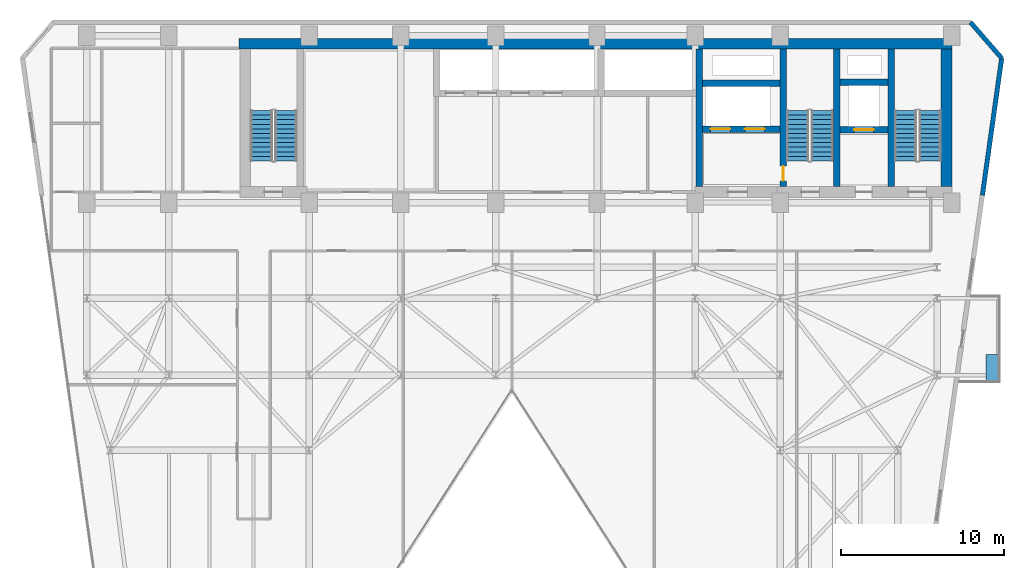
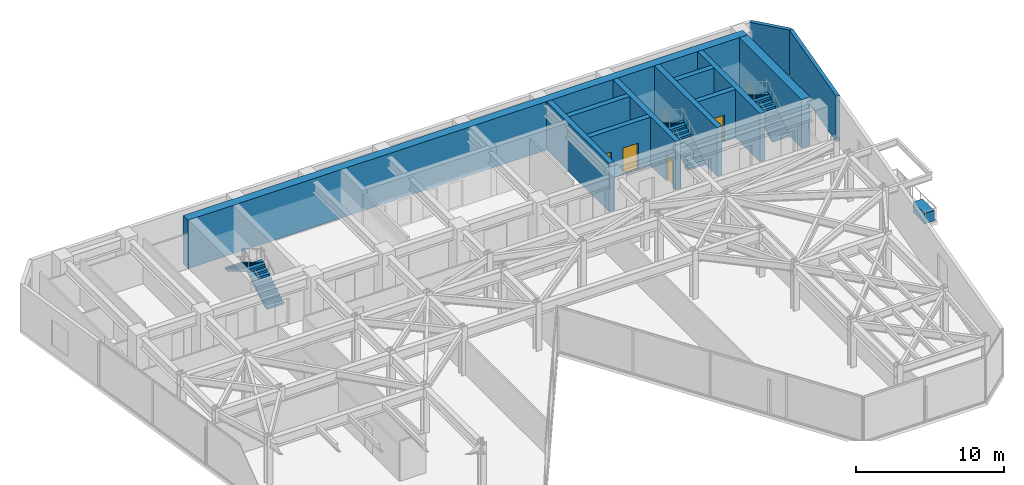
# One storey, part 23 of 26: 12 walls, 6 stair flights, 4 doors, 1 discrete accessory, 4 openings, 3 elements without a shape of their own.
"""IFC4 building model written with IfcOpenShell, lengths in metres."""

from ifc_helpers import new_model, si_unit, direction, frame, frame_2d, origin, origin_2d, place, context, subcontext, project, spatial, polyline, rectangle, outline, extrude, material, layer, layer_set, type_object, element, fill, aggregate, save


model = new_model("IFC4")

# Units and contexts
model_context = context("Model", 3, precision=1e-05, world=origin(), true_north=direction((0.0, 1.0)))
body_context = subcontext(model_context, "Body", "Model", "MODEL_VIEW")
ifc_project = project(units=[si_unit("LENGTHUNIT", "METRE"), si_unit("AREAUNIT", "SQUARE_METRE"), si_unit("VOLUMEUNIT", "CUBIC_METRE"), si_unit("PLANEANGLEUNIT", "RADIAN"), si_unit("MASSUNIT", "GRAM", prefix="KILO")], contexts=[model_context])

# Site, building, storey
site_placement = place(None, origin())
site = spatial("IfcSite", under=ifc_project, at=site_placement, CompositionType="ELEMENT")
building_placement = place(site_placement, origin())
building = spatial("IfcBuilding", under=site, at=building_placement, Name="Kravanh Interchange Tower", CompositionType="ELEMENT")
storey_placement = place(building_placement, frame((0.0, 0.0, 112.0)))
storey = spatial("IfcBuildingStorey", under=building, at=storey_placement, Name="L26", CompositionType="ELEMENT", Elevation=112.0)

# Walls
ifc_material_1 = material(Name="Concrete C70/85", Category="concrete")
ifc_layer_1 = layer(ifc_material_1, 0.64990234375)
ifc_layer_set_1 = layer_set([ifc_layer_1], Name="Core Shear Wall Concrete C70/85 650mm")
wall_type_1 = type_object("IfcWallType", Name="Core Shear Wall Concrete C70/85 650mm", PredefinedType="SHEAR", material=ifc_layer_set_1)
wall_1_placement = place(storey_placement, frame((22.89990234375, 47.074951171875, 0.0), z_axis=(0.0, 0.0, 1.0), x_axis=(1.0, 0.0, 0.0)))
element("IfcWall", 1, at=wall_1_placement, inside=storey, type_object=wall_type_1, Name="L26 North Core Shear Wall", PredefinedType="SHEAR", context=body_context, shape_type="SweptSolid", body=[
    extrude(rectangle(XDim=43.60009765625, YDim=0.64990234375, at=frame_2d((21.800048828125, 0.0))), origin(), (0.0, 0.0, 1.0), 4.0),
])
wall_2_placement = place(storey_placement, frame((66.175048828125, 38.324951171875, 0.0), z_axis=(0.0, 0.0, 1.0), x_axis=(0.0, 1.0, 0.0)))
element("IfcWall", 2, at=wall_2_placement, inside=storey, type_object=wall_type_1, Name="L26 Stair ST1 East Shear Wall", PredefinedType="SHEAR", context=body_context, shape_type="SweptSolid", body=[
    extrude(rectangle(XDim=8.425048828125, YDim=0.64990234375, at=frame_2d((4.21240234375, 0.0))), origin(), (0.0, 0.0, 1.0), 4.0),
])
ifc_material_2 = material(Name="Concrete C80/95", Category="concrete")
ifc_layer_2 = layer(ifc_material_2, 0.39990234375)
ifc_layer_set_2 = layer_set([ifc_layer_2], Name="Core Shear Wall Concrete C80/95 400mm")
wall_type_2 = type_object("IfcWallType", Name="Core Shear Wall Concrete C80/95 400mm", PredefinedType="SHEAR", material=ifc_layer_set_2)
for number, where, z_axis, x_axis, name in (
    (3, (62.800048828125, 38.324951171875, 0.0), (0.0, 0.0, 1.0), (0.0, 1.0, 0.0), "L26 Stair ST1 West Shear Wall"),
    (4, (59.449951171875, 38.324951171875, 0.0), (0.0, 0.0, 1.0), (0.0, 1.0, 0.0), "L26 Stair ST2 East Shear Wall"),
):
    element("IfcWall", number, at=place(storey_placement, frame(where, z_axis=z_axis, x_axis=x_axis)), inside=storey, type_object=wall_type_2, Name=name, PredefinedType="SHEAR", context=body_context, shape_type="SweptSolid", body=[
        extrude(rectangle(XDim=8.425048828125, YDim=0.39990234375, at=frame_2d((4.21240234375, 0.0))), origin(), (0.0, 0.0, 1.0), 4.0),
    ])

# Wall, opening, door
wall_3_placement = place(storey_placement, frame((56.199951171875, 38.324951171875, 0.0), z_axis=(0.0, 0.0, 1.0), x_axis=(0.0, 1.0, 0.0)))
wall_3 = element("IfcWall", 5, at=wall_3_placement, inside=storey, type_object=wall_type_2, Name="L26 Stair ST2 West Shear Wall", PredefinedType="SHEAR", context=body_context, shape_type="SweptSolid", body=[
    extrude(rectangle(XDim=8.425048828125, YDim=0.39990234375, at=frame_2d((4.21240234375, 0.0))), origin(), (0.0, 0.0, 1.0), 4.0),
])
opening_1_placement = place(wall_3_placement, frame((0.35498046875, 0.0, 0.0)))
opening_1 = element("IfcOpeningElement", 6, at=opening_1_placement, cuts=wall_3, Name="Opening D-STAIR-90", PredefinedType="OPENING", context=body_context, shape_type="SweptSolid", body=[
    extrude(rectangle(XDim=0.89990234375, YDim=2.14990234375, at=frame_2d((0.449951171875, 1.074951171875))), frame((0.0, 0.2099609375, 0.0), z_axis=(0.0, -1.0, 0.0), x_axis=(1.0, 0.0, 0.0)), (0.0, 0.0, 1.0), 0.419921875),
])
ifc_material_3 = material(Name="Structural Steel S355", Category="steel")
door_type_1 = type_object("IfcDoorType", Name="Fire-Rated Stair Lobby Door 900x2150", OperationType="NOTDEFINED", PredefinedType="DOOR", material=ifc_material_3)
door_1_placement = place(opening_1_placement, origin())
door_1 = element("IfcDoor", 7, at=door_1_placement, inside=storey, type_object=door_type_1, Name="L26 Firefighting Lobby to Stair ST2 Door", OperationType="SINGLE_SWING_LEFT", OverallHeight=2.14990234375, OverallWidth=0.89990234375, PredefinedType="DOOR", context=body_context, shape_type="SweptSolid", body=[
    extrude(rectangle(XDim=0.89990234375, YDim=2.14990234375, at=frame_2d((0.449951171875, 1.074951171875))), frame((0.0, 0.02490234375, 0.0), z_axis=(0.0, -1.0, 0.0), x_axis=(1.0, 0.0, 0.0)), (0.0, 0.0, 1.0), 0.050048828125),
])
fill(opening_1, door_1)

wall_4_placement = place(storey_placement, frame((59.64990234375, 41.800048828125, 0.0), z_axis=(0.0, 0.0, 1.0), x_axis=(1.0, 0.0, 0.0)))
wall_4 = element("IfcWall", 8, at=wall_4_placement, inside=storey, type_object=wall_type_2, Name="L26 Service Lift Shaft South Wall", PredefinedType="SHEAR", context=body_context, shape_type="SweptSolid", body=[
    extrude(rectangle(XDim=2.9501953125, YDim=0.39990234375, at=frame_2d((1.47509765625, 0.0))), origin(), (0.0, 0.0, 1.0), 4.0),
])
opening_2_placement = place(wall_4_placement, frame((0.8701171875, 0.0, 0.0)))
opening_2 = element("IfcOpeningElement", 9, at=opening_2_placement, cuts=wall_4, Name="Opening LD02", PredefinedType="OPENING", context=body_context, shape_type="SweptSolid", body=[
    extrude(rectangle(XDim=1.199951171875, YDim=2.199951171875, at=frame_2d((0.60009765625, 1.10009765625))), frame((0.0, 0.2099609375, 0.0), z_axis=(0.0, -1.0, 0.0), x_axis=(1.0, 0.0, 0.0)), (0.0, 0.0, 1.0), 0.419921875),
])
ifc_material_4 = material(Name="Stainless Steel 316", Category="steel")
door_type_2 = type_object("IfcDoorType", Name="Fire and Service Lift Sliding Landing Door 1200x2200", OperationType="DOUBLE_DOOR_SLIDING", PredefinedType="DOOR", material=ifc_material_4)
door_2_placement = place(opening_2_placement, origin())
door_2 = element("IfcDoor", 10, at=door_2_placement, inside=storey, type_object=door_type_2, Name="L26 Lift LS-01 Landing Door", OperationType="DOUBLE_DOOR_SLIDING", OverallHeight=2.199951171875, OverallWidth=1.199951171875, PredefinedType="DOOR", context=body_context, shape_type="SweptSolid", body=[
    extrude(rectangle(XDim=1.199951171875, YDim=2.199951171875, at=frame_2d((0.60009765625, 1.10009765625))), frame((0.0, 0.02490234375, 0.0), z_axis=(0.0, -1.0, 0.0), x_axis=(1.0, 0.0, 0.0)), (0.0, 0.0, 1.0), 0.050048828125),
])
fill(opening_2, door_2)

# Wall
wall_5_placement = place(storey_placement, frame((59.64990234375, 44.699951171875, 0.0), z_axis=(0.0, 0.0, 1.0), x_axis=(1.0, 0.0, 0.0)))
element("IfcWall", 11, at=wall_5_placement, inside=storey, type_object=wall_type_2, Name="L26 Service Lift Shaft North Wall", PredefinedType="SHEAR", context=body_context, shape_type="SweptSolid", body=[
    extrude(rectangle(XDim=2.9501953125, YDim=0.39990234375, at=frame_2d((1.47509765625, 0.0))), origin(), (0.0, 0.0, 1.0), 4.0),
])

# Wall, openings, doors
wall_6_placement = place(storey_placement, frame((51.25, 41.85009765625, 0.0), z_axis=(0.0, 0.0, 1.0), x_axis=(1.0, 0.0, 0.0)))
wall_6 = element("IfcWall", 12, at=wall_6_placement, inside=storey, type_object=wall_type_2, Name="L26 Fire Lift Shaft South Wall", PredefinedType="SHEAR", context=body_context, shape_type="SweptSolid", body=[
    extrude(rectangle(XDim=4.75, YDim=0.39990234375, at=frame_2d((2.375, 0.0))), origin(), (0.0, 0.0, 1.0), 4.0),
])
opening_3_placement = place(wall_6_placement, frame((0.5, 0.0, 0.0)))
opening_3 = element("IfcOpeningElement", 13, at=opening_3_placement, cuts=wall_6, Name="Opening LD02", PredefinedType="OPENING", context=body_context, shape_type="SweptSolid", body=[
    extrude(rectangle(XDim=1.199951171875, YDim=2.199951171875, at=frame_2d((0.60009765625, 1.10009765625))), frame((0.0, 0.2099609375, 0.0), z_axis=(0.0, -1.0, 0.0), x_axis=(1.0, 0.0, 0.0)), (0.0, 0.0, 1.0), 0.419921875),
])
opening_4_placement = place(wall_6_placement, frame((2.60009765625, 0.0, 0.0)))
opening_4 = element("IfcOpeningElement", 14, at=opening_4_placement, cuts=wall_6, Name="Opening LD02", PredefinedType="OPENING", context=body_context, shape_type="SweptSolid", body=[
    extrude(rectangle(XDim=1.199951171875, YDim=2.199951171875, at=frame_2d((0.60009765625, 1.10009765625))), frame((0.0, 0.2099609375, 0.0), z_axis=(0.0, -1.0, 0.0), x_axis=(1.0, 0.0, 0.0)), (0.0, 0.0, 1.0), 0.419921875),
])
door_3_placement = place(opening_3_placement, origin())
door_3 = element("IfcDoor", 15, at=door_3_placement, inside=storey, type_object=door_type_2, Name="L26 Lift FSAE-01 Landing Door", OperationType="DOUBLE_DOOR_SLIDING", OverallHeight=2.199951171875, OverallWidth=1.199951171875, PredefinedType="DOOR", context=body_context, shape_type="SweptSolid", body=[
    extrude(rectangle(XDim=1.199951171875, YDim=2.199951171875, at=frame_2d((0.60009765625, 1.10009765625))), frame((0.0, 0.02490234375, 0.0), z_axis=(0.0, -1.0, 0.0), x_axis=(1.0, 0.0, 0.0)), (0.0, 0.0, 1.0), 0.050048828125),
])
fill(opening_3, door_3)
door_4_placement = place(opening_4_placement, origin())
door_4 = element("IfcDoor", 16, at=door_4_placement, inside=storey, type_object=door_type_2, Name="L26 Lift FSAE-02 Landing Door", OperationType="DOUBLE_DOOR_SLIDING", OverallHeight=2.199951171875, OverallWidth=1.199951171875, PredefinedType="DOOR", context=body_context, shape_type="SweptSolid", body=[
    extrude(rectangle(XDim=1.199951171875, YDim=2.199951171875, at=frame_2d((0.60009765625, 1.10009765625))), frame((0.0, 0.02490234375, 0.0), z_axis=(0.0, -1.0, 0.0), x_axis=(1.0, 0.0, 0.0)), (0.0, 0.0, 1.0), 0.050048828125),
])
fill(opening_4, door_4)

# Walls
wall_7_placement = place(storey_placement, frame((51.25, 44.64990234375, 0.0), z_axis=(0.0, 0.0, 1.0), x_axis=(1.0, 0.0, 0.0)))
element("IfcWall", 17, at=wall_7_placement, inside=storey, type_object=wall_type_2, Name="L26 Fire Lift Shaft North Wall", PredefinedType="SHEAR", context=body_context, shape_type="SweptSolid", body=[
    extrude(rectangle(XDim=4.75, YDim=0.39990234375, at=frame_2d((2.375, 0.0))), origin(), (0.0, 0.0, 1.0), 4.0),
])
wall_8_placement = place(storey_placement, frame((51.050048828125, 38.324951171875, 0.0), z_axis=(0.0, 0.0, 1.0), x_axis=(0.0, 1.0, 0.0)))
element("IfcWall", 18, at=wall_8_placement, inside=storey, type_object=wall_type_2, Name="L26 Firefighting Lobby West Wall", PredefinedType="SHEAR", context=body_context, shape_type="SweptSolid", body=[
    extrude(rectangle(XDim=8.425048828125, YDim=0.39990234375, at=frame_2d((4.21240234375, 0.0))), origin(), (0.0, 0.0, 1.0), 4.0),
])
ifc_material_5 = material(Name="Insulated Precast Concrete C40/50 with Bronze Cladding", Category="concrete")
ifc_layer_3 = layer(ifc_material_5, 0.280029296875)
ifc_layer_set_3 = layer_set([ifc_layer_3], Name="Exterior Insulated Concrete C40/50 Bronze Spandrel Wall 280mm")
wall_type_3 = type_object("IfcWallType", Name="Exterior Insulated Concrete C40/50 Bronze Spandrel Wall 280mm", PredefinedType="STANDARD", material=ifc_layer_set_3)
wall_9_placement = place(storey_placement, frame((67.645263671875, 48.3798828125, 0.0), z_axis=(0.0, 0.0, 1.0), x_axis=(0.656070644076, -0.754699483226, 0.0)))
element("IfcWall", 19, at=wall_9_placement, inside=storey, type_object=wall_type_3, Name="L26 Exterior Wall 4", PredefinedType="STANDARD", context=body_context, shape_type="SweptSolid", body=[
    extrude(rectangle(XDim=2.908447265625, YDim=0.280029296875, at=frame_2d((1.4541015625, 0.0))), origin(), (0.0, 0.0, 1.0), 3.75),
])
wall_10_placement = place(storey_placement, frame((69.553466796875, 46.184814453125, 0.0), z_axis=(0.0, 0.0, 1.0), x_axis=(-0.139180610108, -0.990267013371, 0.0)))
element("IfcWall", 20, at=wall_10_placement, inside=storey, type_object=wall_type_3, Name="L26 Exterior Wall 5", PredefinedType="STANDARD", context=body_context, shape_type="SweptSolid", body=[
    extrude(rectangle(XDim=8.46728515625, YDim=0.280029296875, at=frame_2d((4.233642578125, 0.0))), origin(), (0.0, 0.0, 1.0), 3.75),
])

# Stair, stair flights
ifc_material_6 = material(Name="Concrete C50/60", Category="concrete")
stair_type = type_object("IfcStairType", Name="Core Fire Exit Dogleg Stair Concrete C50/60", PredefinedType="HALF_TURN_STAIR", material=ifc_material_6)
stair_1_placement = place(storey_placement, origin())
stair_1 = element("IfcStair", 21, at=stair_1_placement, inside=storey, type_object=stair_type, Name="L26 Exit Stair ST1", PredefinedType="HALF_TURN_STAIR")
ifc_material_7 = material(Name="Precast Concrete C50/60", Category="concrete")
ifc_layer_4 = layer(ifc_material_7, 0.199951171875)
ifc_layer_set_4 = layer_set([ifc_layer_4], Name="Precast Concrete C50/60 Stair Flight 1350mm")
stair_flight_type = type_object("IfcStairFlightType", Name="Precast Concrete C50/60 Stair Flight 1350mm", PredefinedType="STRAIGHT", material=ifc_layer_set_4)
stair_flight_1_placement = place(storey_placement, frame((65.175048828125, 39.89990234375, 0.0), z_axis=(0.0, 0.0, 1.0), x_axis=(0.0, 1.0, 0.0)))
stair_flight_1 = element("IfcStairFlight", 22, at=stair_flight_1_placement, type_object=stair_flight_type, Name="ST1 flight 1", NumberOfRisers=12, NumberOfTreads=11, PredefinedType="STRAIGHT", RiserHeight=0.166666667, TreadLength=0.28, context=body_context, shape_type="SweptSolid", body=[
    extrude(outline(polyline([(0.0, 0.0), (0.0, 0.166748046875), (0.280029296875, 0.166748046875), (0.280029296875, 0.333251953125), (0.56005859375, 0.333251953125), (0.56005859375, 0.5), (0.840087890625, 0.5), (0.840087890625, 0.666748046875), (1.1201171875, 0.666748046875), (1.1201171875, 0.833251953125), (1.39990234375, 0.833251953125), (1.39990234375, 1.0), (1.679931640625, 1.0), (1.679931640625, 1.166748046875), (1.9599609375, 1.166748046875), (1.9599609375, 1.333251953125), (2.239990234375, 1.333251953125), (2.239990234375, 1.5), (2.52001953125, 1.5), (2.52001953125, 1.666748046875), (2.800048828125, 1.666748046875), (2.800048828125, 1.833251953125), (3.080078125, 1.833251953125), (3.080078125, 2.0), (3.080078125, 1.658935546875), (0.29296875, 0.0), (0.0, 0.0)])), frame((0.0, 0.675048828125, 0.0), z_axis=(0.0, -1.0, 0.0), x_axis=(1.0, 0.0, 0.0)), (0.0, 0.0, 1.0), 1.35009765625),
])
stair_flight_2_placement = place(storey_placement, frame((63.675048828125, 42.97998046875, 2.0), z_axis=(0.0, 0.0, 1.0), x_axis=(0.0, -1.0, 0.0)))
stair_flight_2 = element("IfcStairFlight", 23, at=stair_flight_2_placement, type_object=stair_flight_type, Name="ST1 flight 2", NumberOfRisers=12, NumberOfTreads=11, PredefinedType="STRAIGHT", RiserHeight=0.166666667, TreadLength=0.28, context=body_context, shape_type="SweptSolid", body=[
    extrude(outline(polyline([(0.0, 0.0), (0.0, 0.166748046875), (0.280029296875, 0.166748046875), (0.280029296875, 0.333251953125), (0.56005859375, 0.333251953125), (0.56005859375, 0.5), (0.840087890625, 0.5), (0.840087890625, 0.666748046875), (1.1201171875, 0.666748046875), (1.1201171875, 0.833251953125), (1.39990234375, 0.833251953125), (1.39990234375, 1.0), (1.679931640625, 1.0), (1.679931640625, 1.166748046875), (1.9599609375, 1.166748046875), (1.9599609375, 1.333251953125), (2.239990234375, 1.333251953125), (2.239990234375, 1.5), (2.52001953125, 1.5), (2.52001953125, 1.666748046875), (2.800048828125, 1.666748046875), (2.800048828125, 1.833251953125), (3.080078125, 1.833251953125), (3.080078125, 2.0), (3.080078125, 1.658935546875), (0.29296875, 0.0), (0.0, 0.0)])), frame((0.0, 0.675048828125, 0.0), z_axis=(0.0, -1.0, 0.0), x_axis=(1.0, 0.0, 0.0)), (0.0, 0.0, 1.0), 1.35009765625),
])
aggregate(stair_1, [stair_flight_1, stair_flight_2])

stair_2_placement = place(storey_placement, origin())
stair_2 = element("IfcStair", 24, at=stair_2_placement, inside=storey, type_object=stair_type, Name="L26 Exit Stair ST2", PredefinedType="HALF_TURN_STAIR")
stair_flight_3_placement = place(storey_placement, frame((58.574951171875, 39.89990234375, 0.0), z_axis=(0.0, 0.0, 1.0), x_axis=(0.0, 1.0, 0.0)))
stair_flight_3 = element("IfcStairFlight", 25, at=stair_flight_3_placement, type_object=stair_flight_type, Name="ST2 flight 1", NumberOfRisers=12, NumberOfTreads=11, PredefinedType="STRAIGHT", RiserHeight=0.166666667, TreadLength=0.28, context=body_context, shape_type="SweptSolid", body=[
    extrude(outline(polyline([(0.0, 0.0), (0.0, 0.166748046875), (0.280029296875, 0.166748046875), (0.280029296875, 0.333251953125), (0.56005859375, 0.333251953125), (0.56005859375, 0.5), (0.840087890625, 0.5), (0.840087890625, 0.666748046875), (1.1201171875, 0.666748046875), (1.1201171875, 0.833251953125), (1.39990234375, 0.833251953125), (1.39990234375, 1.0), (1.679931640625, 1.0), (1.679931640625, 1.166748046875), (1.9599609375, 1.166748046875), (1.9599609375, 1.333251953125), (2.239990234375, 1.333251953125), (2.239990234375, 1.5), (2.52001953125, 1.5), (2.52001953125, 1.666748046875), (2.800048828125, 1.666748046875), (2.800048828125, 1.833251953125), (3.080078125, 1.833251953125), (3.080078125, 2.0), (3.080078125, 1.658935546875), (0.29296875, 0.0), (0.0, 0.0)])), frame((0.0, 0.675048828125, 0.0), z_axis=(0.0, -1.0, 0.0), x_axis=(1.0, 0.0, 0.0)), (0.0, 0.0, 1.0), 1.35009765625),
])
stair_flight_4_placement = place(storey_placement, frame((57.074951171875, 42.97998046875, 2.0), z_axis=(0.0, 0.0, 1.0), x_axis=(0.0, -1.0, 0.0)))
stair_flight_4 = element("IfcStairFlight", 26, at=stair_flight_4_placement, type_object=stair_flight_type, Name="ST2 flight 2", NumberOfRisers=12, NumberOfTreads=11, PredefinedType="STRAIGHT", RiserHeight=0.166666667, TreadLength=0.28, context=body_context, shape_type="SweptSolid", body=[
    extrude(outline(polyline([(0.0, 0.0), (0.0, 0.166748046875), (0.280029296875, 0.166748046875), (0.280029296875, 0.333251953125), (0.56005859375, 0.333251953125), (0.56005859375, 0.5), (0.840087890625, 0.5), (0.840087890625, 0.666748046875), (1.1201171875, 0.666748046875), (1.1201171875, 0.833251953125), (1.39990234375, 0.833251953125), (1.39990234375, 1.0), (1.679931640625, 1.0), (1.679931640625, 1.166748046875), (1.9599609375, 1.166748046875), (1.9599609375, 1.333251953125), (2.239990234375, 1.333251953125), (2.239990234375, 1.5), (2.52001953125, 1.5), (2.52001953125, 1.666748046875), (2.800048828125, 1.666748046875), (2.800048828125, 1.833251953125), (3.080078125, 1.833251953125), (3.080078125, 2.0), (3.080078125, 1.658935546875), (0.29296875, 0.0), (0.0, 0.0)])), frame((0.0, 0.675048828125, 0.0), z_axis=(0.0, -1.0, 0.0), x_axis=(1.0, 0.0, 0.0)), (0.0, 0.0, 1.0), 1.35009765625),
])
aggregate(stair_2, [stair_flight_3, stair_flight_4])

stair_3_placement = place(storey_placement, origin())
stair_3 = element("IfcStair", 27, at=stair_3_placement, inside=storey, type_object=stair_type, Name="L26 Exit Stair ST3", PredefinedType="HALF_TURN_STAIR")
stair_flight_5_placement = place(storey_placement, frame((25.77490234375, 39.89990234375, 0.0), z_axis=(0.0, 0.0, 1.0), x_axis=(0.0, 1.0, 0.0)))
stair_flight_5 = element("IfcStairFlight", 28, at=stair_flight_5_placement, type_object=stair_flight_type, Name="ST3 flight 1", NumberOfRisers=12, NumberOfTreads=11, PredefinedType="STRAIGHT", RiserHeight=0.166666667, TreadLength=0.28, context=body_context, shape_type="SweptSolid", body=[
    extrude(outline(polyline([(0.0, 0.0), (0.0, 0.166748046875), (0.280029296875, 0.166748046875), (0.280029296875, 0.333251953125), (0.56005859375, 0.333251953125), (0.56005859375, 0.5), (0.840087890625, 0.5), (0.840087890625, 0.666748046875), (1.1201171875, 0.666748046875), (1.1201171875, 0.833251953125), (1.39990234375, 0.833251953125), (1.39990234375, 1.0), (1.679931640625, 1.0), (1.679931640625, 1.166748046875), (1.9599609375, 1.166748046875), (1.9599609375, 1.333251953125), (2.239990234375, 1.333251953125), (2.239990234375, 1.5), (2.52001953125, 1.5), (2.52001953125, 1.666748046875), (2.800048828125, 1.666748046875), (2.800048828125, 1.833251953125), (3.080078125, 1.833251953125), (3.080078125, 2.0), (3.080078125, 1.658935546875), (0.29296875, 0.0), (0.0, 0.0)])), frame((0.0, 0.675048828125, 0.0), z_axis=(0.0, -1.0, 0.0), x_axis=(1.0, 0.0, 0.0)), (0.0, 0.0, 1.0), 1.35009765625),
])
stair_flight_6_placement = place(storey_placement, frame((24.27490234375, 42.97998046875, 2.0), z_axis=(0.0, 0.0, 1.0), x_axis=(0.0, -1.0, 0.0)))
stair_flight_6 = element("IfcStairFlight", 29, at=stair_flight_6_placement, type_object=stair_flight_type, Name="ST3 flight 2", NumberOfRisers=12, NumberOfTreads=11, PredefinedType="STRAIGHT", RiserHeight=0.166666667, TreadLength=0.28, context=body_context, shape_type="SweptSolid", body=[
    extrude(outline(polyline([(0.0, 0.0), (0.0, 0.166748046875), (0.280029296875, 0.166748046875), (0.280029296875, 0.333251953125), (0.56005859375, 0.333251953125), (0.56005859375, 0.5), (0.840087890625, 0.5), (0.840087890625, 0.666748046875), (1.1201171875, 0.666748046875), (1.1201171875, 0.833251953125), (1.39990234375, 0.833251953125), (1.39990234375, 1.0), (1.679931640625, 1.0), (1.679931640625, 1.166748046875), (1.9599609375, 1.166748046875), (1.9599609375, 1.333251953125), (2.239990234375, 1.333251953125), (2.239990234375, 1.5), (2.52001953125, 1.5), (2.52001953125, 1.666748046875), (2.800048828125, 1.666748046875), (2.800048828125, 1.833251953125), (3.080078125, 1.833251953125), (3.080078125, 2.0), (3.080078125, 1.658935546875), (0.29296875, 0.0), (0.0, 0.0)])), frame((0.0, 0.675048828125, 0.0), z_axis=(0.0, -1.0, 0.0), x_axis=(1.0, 0.0, 0.0)), (0.0, 0.0, 1.0), 1.35009765625),
])
aggregate(stair_3, [stair_flight_5, stair_flight_6])

# Discrete accessory
ifc_material_8 = material(Name="Architectural GRC Concrete C40/50 with Root Barrier", Category="concrete")
discrete_accessory_type = type_object("IfcDiscreteAccessoryType", Name="Structural Balcony Tree Planter Box Concrete C40/50 1600x750x850", PredefinedType="USERDEFINED", material=ifc_material_8)
discrete_accessory_placement = place(storey_placement, frame((68.969970703125, 27.260009765625, 0.0), z_axis=(0.0, 0.0, 1.0), x_axis=(1.0, 0.0, 0.0)))
element("IfcDiscreteAccessory", 30, at=discrete_accessory_placement, inside=storey, type_object=discrete_accessory_type, Name="L26 E Balcony TREE PLANTER", ObjectType="PLANTER", PredefinedType="USERDEFINED", context=body_context, shape_type="SweptSolid", body=[
    extrude(rectangle(XDim=0.75, YDim=1.60009765625, at=origin_2d()), origin(), (0.0, 0.0, 1.0), 0.85009765625),
])

save(model, "model.ifc")
